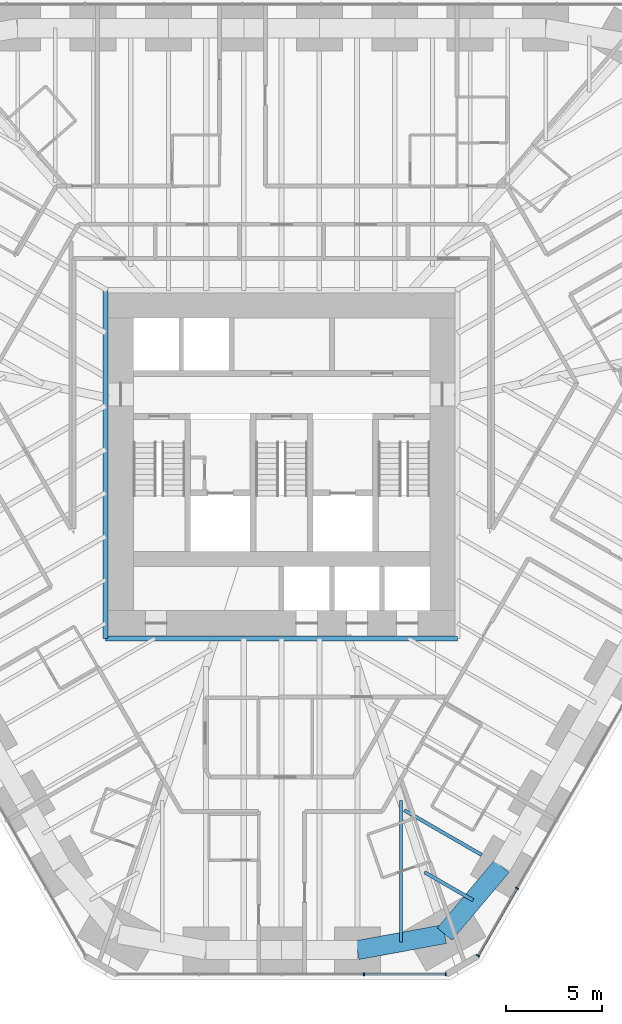
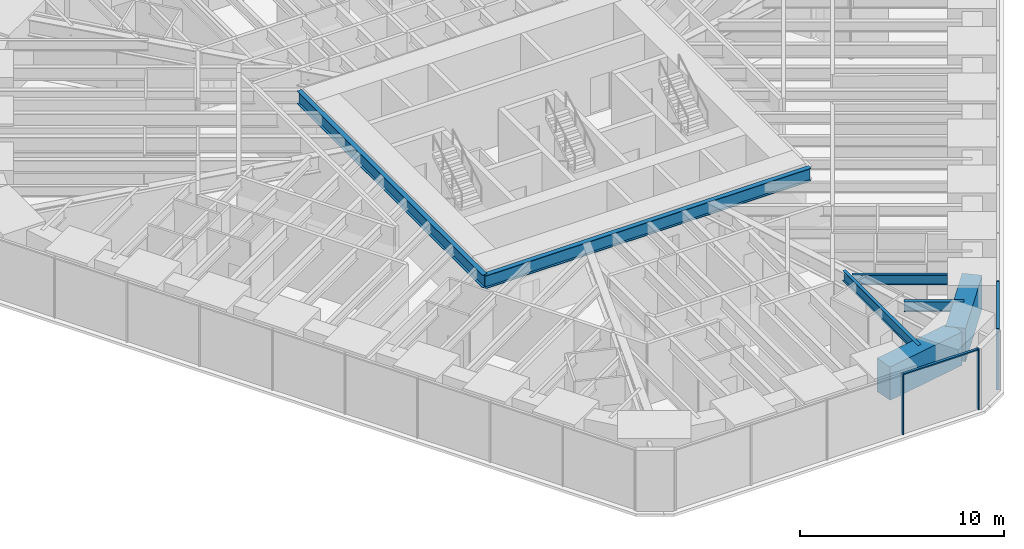
# One storey, part 4 of 17: 7 beams, 6 members, 2 elements without a shape of their own.
"""IFC4 building model written with IfcOpenShell, lengths in metres."""

from ifc_helpers import new_model, si_unit, direction, frame, origin, origin_2d, place, context, subcontext, project, spatial, rectangle, i_section, extrude, material, material_profile, profile_set, type_object, element, aggregate, save


model = new_model("IFC4")

# Units and contexts
model_context = context("Model", 3, precision=1e-05, world=origin(), true_north=direction((0.0, 1.0)))
body_context = subcontext(model_context, "Body", "Model", "MODEL_VIEW")
ifc_project = project(units=[si_unit("LENGTHUNIT", "METRE"), si_unit("AREAUNIT", "SQUARE_METRE"), si_unit("VOLUMEUNIT", "CUBIC_METRE"), si_unit("PLANEANGLEUNIT", "RADIAN"), si_unit("MASSUNIT", "GRAM", prefix="KILO")], contexts=[model_context])

# Site, building, storey
site_placement = place(None, origin())
site = spatial("IfcSite", under=ifc_project, at=site_placement, CompositionType="ELEMENT")
building_placement = place(site_placement, origin())
building = spatial("IfcBuilding", under=site, at=building_placement, Name="Sandreach Pilgrim Tower", CompositionType="ELEMENT")
storey_placement = place(building_placement, frame((0.0, 0.0, 100.60009765625)))
storey = spatial("IfcBuildingStorey", under=building, at=storey_placement, Name="L24", CompositionType="ELEMENT", Elevation=100.60009765625)

# Curtain wall, members
ifc_material_1 = material(Name="Aluminium framed curtain wall", Category="aluminium")
curtain_wall_type = type_object("IfcCurtainWallType", Name="Hotel tower curtain wall", PredefinedType="NOTDEFINED", material=ifc_material_1)
curtain_wall_1_placement = place(storey_placement, origin())
curtain_wall_1 = element("IfcCurtainWall", 1, at=curtain_wall_1_placement, inside=storey, type_object=curtain_wall_type, Name="CW-2 L24 SE", PredefinedType="NOTDEFINED")
ifc_material_2 = material(Name="Aluminium extrusion", Category="aluminium")
ifc_material_profile_1 = material_profile(ifc_material_2, rectangle(XDim=0.06494140625, YDim=0.179931640625, at=origin_2d()), Name="CW-2M 65X180")
ifc_profile_set_1 = profile_set([ifc_material_profile_1], Name="Aluminium extrusion")
member_type_1 = type_object("IfcMemberType", Name="CW-2 mullion", PredefinedType="MULLION", material=ifc_profile_set_1)
member_1_placement = place(storey_placement, frame((12.29296875, -23.695556640625, 0.0), z_axis=(0.0, 0.0, 1.0), x_axis=(-0.5, -0.866025403784, 0.0)))
member_1 = element("IfcMember", 2, at=member_1_placement, type_object=member_type_1, Name="CW-2 mullion 9", PredefinedType="MULLION", context=body_context, shape_type="SweptSolid", body=[
    extrude(rectangle(XDim=0.06494140625, YDim=0.179931640625, at=origin_2d()), origin(), (0.0, 0.0, 1.0), 3.639892578125),
])
member_2_placement = place(storey_placement, frame((10.255859375, -27.22412109375, 0.0), z_axis=(0.0, 0.0, 1.0), x_axis=(-0.5, -0.866025403784, 0.0)))
member_2 = element("IfcMember", 3, at=member_2_placement, type_object=member_type_1, Name="CW-2 mullion 10", PredefinedType="MULLION", context=body_context, shape_type="SweptSolid", body=[
    extrude(rectangle(XDim=0.06494140625, YDim=0.179931640625, at=origin_2d()), origin(), (0.0, 0.0, 1.0), 3.639892578125),
])

curtain_wall_2_placement = place(storey_placement, origin())
curtain_wall_2 = element("IfcCurtainWall", 4, at=curtain_wall_2_placement, inside=storey, type_object=curtain_wall_type, Name="CW-2 L24 S", PredefinedType="NOTDEFINED")
member_3_placement = place(storey_placement, frame((8.578857421875, -28.192138671875, 0.0), z_axis=(0.0, 0.0, 1.0), x_axis=(-1.0, 0.0, 0.0)))
member_3 = element("IfcMember", 5, at=member_3_placement, type_object=member_type_1, Name="CW-2 mullion 1", PredefinedType="MULLION", context=body_context, shape_type="SweptSolid", body=[
    extrude(rectangle(XDim=0.06494140625, YDim=0.179931640625, at=origin_2d()), origin(), (0.0, 0.0, 1.0), 3.639892578125),
])
member_4_placement = place(storey_placement, frame((4.3056640625, -28.192138671875, 0.0), z_axis=(0.0, 0.0, 1.0), x_axis=(-1.0, 0.0, 0.0)))
member_4 = element("IfcMember", 6, at=member_4_placement, type_object=member_type_1, Name="CW-2 mullion 2", PredefinedType="MULLION", context=body_context, shape_type="SweptSolid", body=[
    extrude(rectangle(XDim=0.06494140625, YDim=0.179931640625, at=origin_2d()), origin(), (0.0, 0.0, 1.0), 3.639892578125),
])

# Member
ifc_material_3 = material(Name="Aluminium extrusion", Category="aluminium")
ifc_material_profile_2 = material_profile(ifc_material_3, rectangle(XDim=0.139892578125, YDim=0.070068359375, at=origin_2d()), Name="CW-2T 140X70")
ifc_profile_set_2 = profile_set([ifc_material_profile_2], Name="Aluminium extrusion")
member_type_2 = type_object("IfcMemberType", Name="CW-2 transom", PredefinedType="USERDEFINED", material=ifc_profile_set_2)
member_5_placement = place(storey_placement, frame((12.27685546875, -23.7236328125, 3.60498046875), z_axis=(-0.500015851672, -0.866016251624, 0.0), x_axis=(0.866016251624, -0.500015851672, 0.0)))
member_5 = element("IfcMember", 7, at=member_5_placement, type_object=member_type_2, Name="CW-2 head transom 9", ObjectType="TRANSOM", PredefinedType="USERDEFINED", context=body_context, shape_type="SweptSolid", body=[
    extrude(rectangle(XDim=0.139892578125, YDim=0.070068359375, at=origin_2d()), origin(), (0.0, 0.0, 1.0), 4.009521484375),
])

aggregate(curtain_wall_1, [member_1, member_2, member_5])

member_6_placement = place(storey_placement, frame((8.54638671875, -28.192138671875, 3.60498046875), z_axis=(-1.0, 0.0, 0.0), x_axis=(0.0, -1.0, 0.0)))
member_6 = element("IfcMember", 8, at=member_6_placement, type_object=member_type_2, Name="CW-2 head transom 1", ObjectType="TRANSOM", PredefinedType="USERDEFINED", context=body_context, shape_type="SweptSolid", body=[
    extrude(rectangle(XDim=0.139892578125, YDim=0.070068359375, at=origin_2d()), origin(), (0.0, 0.0, 1.0), 4.208251953125),
])

aggregate(curtain_wall_2, [member_3, member_4, member_6])

# Beams
ifc_material_4 = material(Name="Steel ASTM A992 Grade 50", Category="steel")
ifc_material_profile_3 = material_profile(ifc_material_4, i_section(OverallWidth=0.2666015625, OverallDepth=0.77978515625, WebThickness=0.0166015625, FlangeThickness=0.030029296875, at=origin_2d()), Name="W30X148")
ifc_profile_set_3 = profile_set([ifc_material_profile_3], Name="Steel ASTM A992 Grade 50")
beam_type_1 = type_object("IfcBeamType", Name="Core edge beam W30X148", PredefinedType="BEAM", material=ifc_profile_set_3)
beam_1_placement = place(storey_placement, frame((9.193359375, -10.643310546875, 3.25), z_axis=(-1.0, 0.0, 0.0), x_axis=(0.0, -1.0, 0.0)))
element("IfcBeam", 9, at=beam_1_placement, inside=storey, type_object=beam_type_1, Name="BM L24 CES", PredefinedType="BEAM", context=body_context, shape_type="SweptSolid", body=[
    extrude(i_section(OverallWidth=0.2666015625, OverallDepth=0.77978515625, WebThickness=0.0166015625, FlangeThickness=0.030029296875, at=origin_2d()), origin(), (0.0, 0.0, 1.0), 18.38671875),
])
beam_2_placement = place(storey_placement, frame((-9.193359375, -10.643310546875, 3.25), z_axis=(0.0, 1.0, 0.0), x_axis=(-1.0, 0.0, 0.0)))
element("IfcBeam", 10, at=beam_2_placement, inside=storey, type_object=beam_type_1, Name="BM L24 CEW", PredefinedType="BEAM", context=body_context, shape_type="SweptSolid", body=[
    extrude(i_section(OverallWidth=0.2666015625, OverallDepth=0.77978515625, WebThickness=0.0166015625, FlangeThickness=0.030029296875, at=origin_2d()), origin(), (0.0, 0.0, 1.0), 18.186767578125),
])
ifc_material_5 = material(Name="Steel ASTM A992 Grade 50", Category="steel")
ifc_material_profile_4 = material_profile(ifc_material_5, i_section(OverallWidth=0.1787109375, OverallDepth=0.60205078125, WebThickness=0.010986328125, FlangeThickness=0.014892578125, at=origin_2d()), Name="W24X62")
ifc_profile_set_4 = profile_set([ifc_material_profile_4], Name="Steel ASTM A992 Grade 50")
beam_type_2 = type_object("IfcBeamType", Name="Floor beam W24X62", PredefinedType="BEAM", material=ifc_profile_set_4)
beam_3_placement = place(storey_placement, frame((10.454833984375, -21.959228515625, 3.3388671875), z_axis=(-0.866017799667, 0.500013170487, 0.0), x_axis=(-0.500013170487, -0.866017799667, 0.0)))
element("IfcBeam", 11, at=beam_3_placement, inside=storey, type_object=beam_type_2, Name="BM L24 F21", PredefinedType="BEAM", context=body_context, shape_type="SweptSolid", body=[
    extrude(i_section(OverallWidth=0.1787109375, OverallDepth=0.60205078125, WebThickness=0.010986328125, FlangeThickness=0.014892578125, at=origin_2d()), origin(), (0.0, 0.0, 1.0), 4.676513671875),
])
beam_4_placement = place(storey_placement, frame((10.006103515625, -24.326904296875, 3.3388671875), z_axis=(-0.866015396618, 0.500017332519, 0.0), x_axis=(-0.500017332519, -0.866015396618, 0.0)))
element("IfcBeam", 12, at=beam_4_placement, inside=storey, type_object=beam_type_2, Name="BM L24 FM21", PredefinedType="BEAM", context=body_context, shape_type="SweptSolid", body=[
    extrude(i_section(OverallWidth=0.1787109375, OverallDepth=0.60205078125, WebThickness=0.010986328125, FlangeThickness=0.014892578125, at=origin_2d()), origin(), (0.0, 0.0, 1.0), 2.9384765625),
])
beam_5_placement = place(storey_placement, frame((6.236572265625, -26.51318359375, 3.3388671875), z_axis=(0.0, 1.0, 0.0), x_axis=(-1.0, 0.0, 0.0)))
element("IfcBeam", 13, at=beam_5_placement, inside=storey, type_object=beam_type_2, Name="BM L24 FM22", PredefinedType="BEAM", context=body_context, shape_type="SweptSolid", body=[
    extrude(i_section(OverallWidth=0.1787109375, OverallDepth=0.60205078125, WebThickness=0.010986328125, FlangeThickness=0.014892578125, at=origin_2d()), origin(), (0.0, 0.0, 1.0), 7.40771484375),
])
ifc_material_6 = material(Name="Concrete 10000 psi", Category="concrete")
ifc_material_profile_5 = material_profile(ifc_material_6, rectangle(XDim=1.0, YDim=2.0, at=origin_2d()), Name="RC1000X2000")
ifc_profile_set_5 = profile_set([ifc_material_profile_5], Name="Concrete 10000 psi")
beam_type_3 = type_object("IfcBeamType", Name="Spandrel beam RC1000X2000", PredefinedType="SPANDREL", material=ifc_profile_set_5)
beam_6_placement = place(storey_placement, frame((11.494140625, -22.559326171875, 2.639892578125), z_axis=(-0.644078801547, -0.764959147535, 0.0), x_axis=(0.764959147535, -0.644078801547, 0.0)))
element("IfcBeam", 14, at=beam_6_placement, inside=storey, type_object=beam_type_3, Name="BM L24 SP21", PredefinedType="SPANDREL", context=body_context, shape_type="SweptSolid", body=[
    extrude(rectangle(XDim=1.0, YDim=2.0, at=origin_2d()), origin(), (0.0, 0.0, 1.0), 4.62109375),
])
beam_7_placement = place(storey_placement, frame((8.517822265625, -26.09423828125, 2.639892578125), z_axis=(-0.983551746136, -0.180626583516, 0.0), x_axis=(0.180626583516, -0.983551746136, 0.0)))
element("IfcBeam", 15, at=beam_7_placement, inside=storey, type_object=beam_type_3, Name="BM L24 SP22", PredefinedType="SPANDREL", context=body_context, shape_type="SweptSolid", body=[
    extrude(rectangle(XDim=1.0, YDim=2.0, at=origin_2d()), origin(), (0.0, 0.0, 1.0), 4.638916015625),
])

save(model, "model.ifc")
